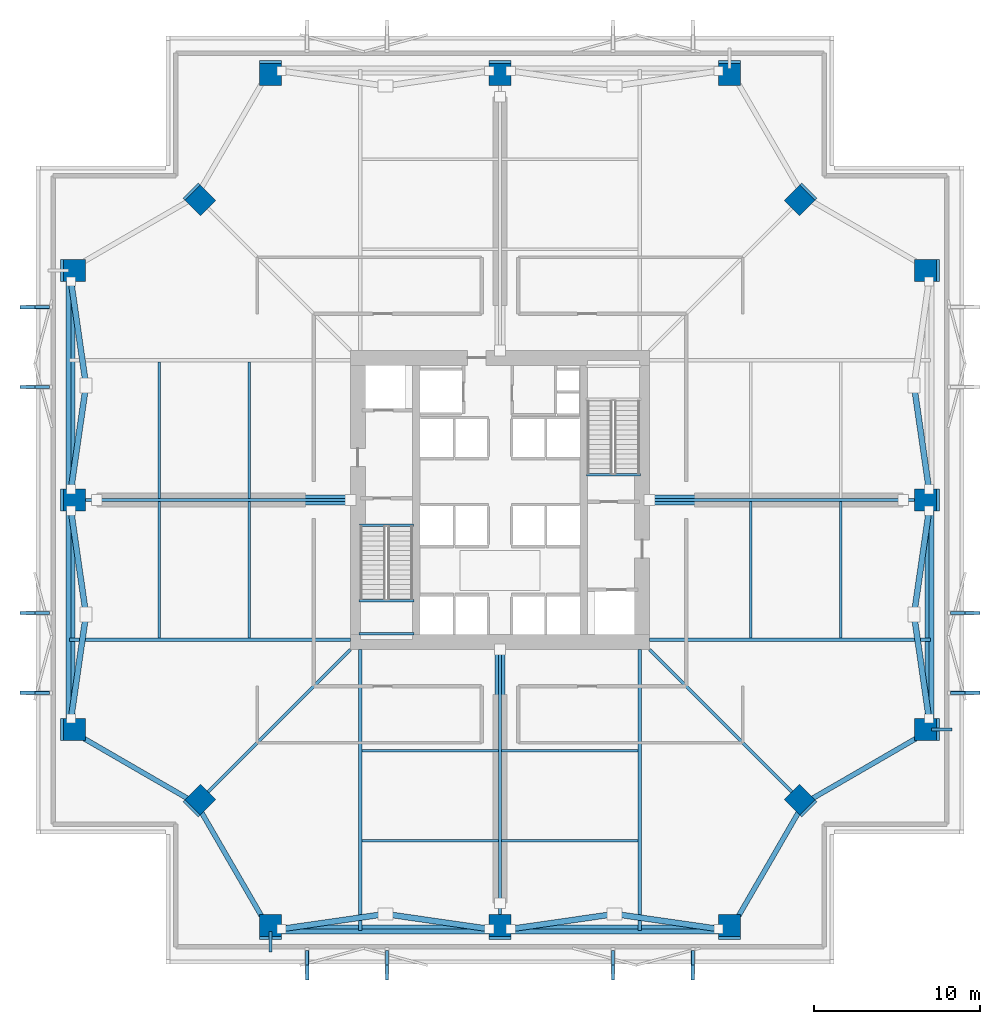
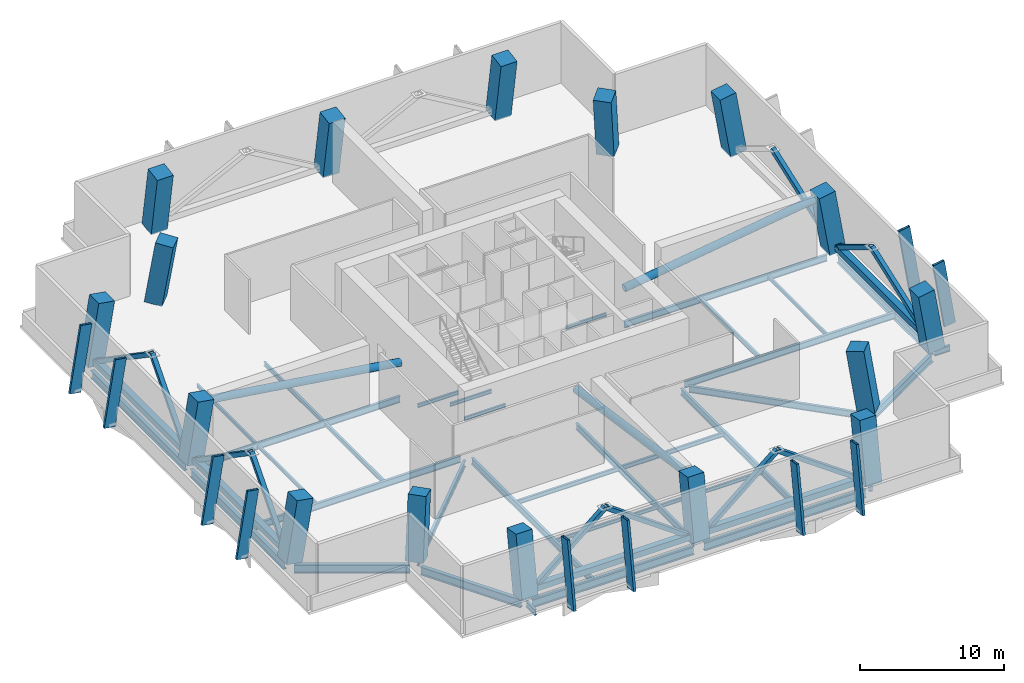
# One storey, part 1 of 6: 39 beams, 24 members, 16 columns.
"""IFC4 building model written with IfcOpenShell, lengths in metres."""

import ifcopenshell
import ifcopenshell.guid

model = None  # the IFC model being written
_history = None  # IfcOwnerHistory: only IFC2X3 demands one
_inside = {}  # id of a spatial element -> (the spatial element, [elements in it])
_under = {}  # id of a project, library or spatial element -> (it, [spatial elements below it])
_declared = {}  # id of a project -> (the project, [libraries it declares])
_typed = {}  # id of a type object -> (the type object, [elements of that type])
_made_of = {}  # id of a material, layer set ... -> (it, [elements and type objects made of it])


def new_model(schema):
    """Start an empty IFC model of exactly this schema.

    Asked for "IFC4X3", IfcOpenShell would pick the latest addendum, in which some entities
    have other attributes; the version numbers below select the first issue.
    IFC2X3 requires an IfcOwnerHistory on every rooted entity: one is made here for all.
    """
    global model, _history
    if schema == "IFC4X3":
        model = ifcopenshell.file(schema_version=(4, 3, 0, 0))
    else:
        model = ifcopenshell.file(schema=schema)
    _inside.clear()
    _under.clear()
    _declared.clear()
    _typed.clear()
    _made_of.clear()
    _history = None
    if model.schema == "IFC2X3":
        org = make("IfcOrganization", Name="unknown")
        user = make(
            "IfcPersonAndOrganization",
            ThePerson=make("IfcPerson", FamilyName="unknown"),
            TheOrganization=org,
        )
        app = make(
            "IfcApplication",
            ApplicationDeveloper=org,
            Version="unknown",
            ApplicationFullName="unknown",
            ApplicationIdentifier="unknown",
        )
        _history = make(
            "IfcOwnerHistory",
            OwningUser=user,
            OwningApplication=app,
            ChangeAction="ADDED",
            CreationDate=0,
        )
    return model


def make(cls, **values):
    """One entity of the class cls with the attributes given. An attribute that is None is left unset."""
    return model.create_entity(
        cls, **{name: value for name, value in values.items() if value is not None}
    )


def rooted(cls, **values):
    """An entity with a GlobalId (a new one), such as an element, a storey or a relation."""
    return make(cls, GlobalId=ifcopenshell.guid.new(), OwnerHistory=_history, **values)


def si_unit(unit_type, name, prefix=None):
    """IfcSIUnit, for example si_unit("LENGTHUNIT", "METRE", prefix="MILLI")."""
    return make("IfcSIUnit", UnitType=unit_type, Prefix=prefix, Name=name)


def assignment(units):
    """IfcUnitAssignment: the units of a project."""
    return None if units is None else make("IfcUnitAssignment", Units=units)


def point(xyz):
    """IfcCartesianPoint."""
    return None if xyz is None else make("IfcCartesianPoint", Coordinates=xyz)


def direction(xyz):
    """IfcDirection."""
    return None if xyz is None else make("IfcDirection", DirectionRatios=xyz)


def frame(location, z_axis=None, x_axis=None):
    """IfcAxis2Placement3D, a coordinate frame: its origin and axes. An axis left out is left unset."""
    return make(
        "IfcAxis2Placement3D",
        Location=point(location),
        Axis=direction(z_axis),
        RefDirection=direction(x_axis),
    )


def frame_2d(location, x_axis=None):
    """IfcAxis2Placement2D, a coordinate frame in the plane: its origin and x axis."""
    return make(
        "IfcAxis2Placement2D", Location=point(location), RefDirection=direction(x_axis)
    )


def origin():
    """The frame at (0, 0, 0) with its axes left unset."""
    return frame((0.0, 0.0, 0.0))


def origin_2d():
    """The frame at (0, 0) in the plane with its x axis left unset."""
    return frame_2d((0.0, 0.0))


def place(relative_to, where):
    """IfcLocalPlacement: puts the frame where relative to a parent placement (None: the world)."""
    return make(
        "IfcLocalPlacement", PlacementRelTo=relative_to, RelativePlacement=where
    )


def context(
    kind, dimensions, precision=None, world=None, true_north=None, identifier=None
):
    """IfcGeometricRepresentationContext, for example the 3D "Model" context."""
    return make(
        "IfcGeometricRepresentationContext",
        ContextIdentifier=identifier,
        ContextType=kind,
        CoordinateSpaceDimension=dimensions,
        Precision=precision,
        WorldCoordinateSystem=world,
        TrueNorth=true_north,
    )


def subcontext(parent, identifier, kind, view, scale=None):
    """IfcGeometricRepresentationSubContext, for example "Body" below "Model"."""
    return make(
        "IfcGeometricRepresentationSubContext",
        ContextIdentifier=identifier,
        ContextType=kind,
        ParentContext=parent,
        TargetScale=scale,
        TargetView=view,
    )


def project(units=None, contexts=None):
    """IfcProject with its units and contexts."""
    return rooted(
        "IfcProject",
        Name="project",
        RepresentationContexts=contexts,
        UnitsInContext=assignment(units),
    )


def spatial(cls, under=None, at=None, **own):
    """A site, building, storey or space (cls), placed at a placement, below another one or the project."""
    s = rooted(cls, ObjectPlacement=at, **own)
    if under is not None:
        _under.setdefault(under.id(), (under, []))[1].append(s)
    return s


def profile(cls, at=None, kind="AREA", **sizes):
    """A parametric profile (cls). Its sizes go by their IFC names, for example OverallWidth=200.0."""
    return make(cls, ProfileType=kind, Position=at, **sizes)


def rectangle(**sizes):
    """IfcRectangleProfileDef."""
    return profile("IfcRectangleProfileDef", **sizes)


def hollow_rectangle(**sizes):
    """IfcRectangleHollowProfileDef."""
    return profile("IfcRectangleHollowProfileDef", **sizes)


def hollow_circle(**sizes):
    """IfcCircleHollowProfileDef."""
    return profile("IfcCircleHollowProfileDef", **sizes)


def i_section(**sizes):
    """IfcIShapeProfileDef."""
    return profile("IfcIShapeProfileDef", **sizes)


def extrude(swept, where, along, depth):
    """IfcExtrudedAreaSolid: the profile swept, set in the frame where, extruded along a direction by depth."""
    return make(
        "IfcExtrudedAreaSolid",
        SweptArea=swept,
        Position=where,
        ExtrudedDirection=direction(along),
        Depth=depth,
    )


def shape(context_of_items, identifier, shape_type, items):
    """IfcShapeRepresentation: the items that make up one representation, for example the "Body"."""
    return make(
        "IfcShapeRepresentation",
        ContextOfItems=context_of_items,
        RepresentationIdentifier=identifier,
        RepresentationType=shape_type,
        Items=items,
    )


def material(Name=None, Category=None):
    """IfcMaterial."""
    return make("IfcMaterial", Name=Name, Category=Category)


def material_profile(
    of_material, cross_section, Name=None, Category=None, Priority=None
):
    """IfcMaterialProfile: a cross section and its material."""
    return make(
        "IfcMaterialProfile",
        Name=Name,
        Material=of_material,
        Profile=cross_section,
        Priority=Priority,
        Category=Category,
    )


def profile_set(profiles, Name=None, composite=None):
    """IfcMaterialProfileSet."""
    return make(
        "IfcMaterialProfileSet",
        Name=Name,
        MaterialProfiles=profiles,
        CompositeProfile=composite,
    )


def made_of(thing, what):
    """Note that an element or type object is made of a material, layer set ...; save() writes the relation."""
    if what is not None:
        _made_of.setdefault(what.id(), (what, []))[1].append(thing)
    return thing


def type_object(cls, material=None, **own):
    """A type object (cls), such as IfcWallType, which elements share."""
    return made_of(rooted(cls, **own), material)


def element(
    cls,
    number,
    at=None,
    inside=None,
    cuts=None,
    type_object=None,
    material=None,
    context=None,
    identifier="Body",
    shape_type=None,
    held_by="IfcProductDefinitionShape",
    body=None,
    shapes=None,
    **own,
):
    """One element of the class cls, such as IfcWall. Its Tag is "e" and its number.

    at: its placement. inside: the storey or other place that contains it. cuts: it is an
    opening in that element (IfcRelVoidsElement). A single representation is given by context,
    identifier, shape_type and body (its items); several are given by shapes. held_by: the class
    of the entity that holds the representations. save() writes the other relations.
    """
    e = rooted(cls, Tag="e%d" % number, ObjectPlacement=at, **own)
    if body is not None:
        shapes = [shape(context, identifier, shape_type, body)]
    if shapes is not None:
        e.Representation = make(held_by, Representations=shapes)
    if inside is not None:
        _inside.setdefault(inside.id(), (inside, []))[1].append(e)
    if cuts is not None:
        rooted(
            "IfcRelVoidsElement", RelatingBuildingElement=cuts, RelatedOpeningElement=e
        )
    if type_object is not None:
        _typed.setdefault(type_object.id(), (type_object, []))[1].append(e)
    return made_of(e, material)


def aggregate(whole, parts):
    """IfcRelAggregates: a whole, such as a stair, and the parts it consists of."""
    return rooted("IfcRelAggregates", RelatingObject=whole, RelatedObjects=parts)


def save(model, path):
    """Write the relations noted so far, then the file.

    IfcRelAggregates (storeys below a building ...), IfcRelContainedInSpatialStructure (elements
    in a storey), IfcRelDefinesByType, IfcRelAssociatesMaterial and IfcRelDeclares: one each for
    every whole, place, type object, material and project.
    """
    for whole, parts in _under.values():
        aggregate(whole, parts)
    for where, things in _inside.values():
        rooted(
            "IfcRelContainedInSpatialStructure",
            RelatedElements=things,
            RelatingStructure=where,
        )
    for kind, things in _typed.values():
        rooted("IfcRelDefinesByType", RelatedObjects=things, RelatingType=kind)
    for what, things in _made_of.values():
        rooted("IfcRelAssociatesMaterial", RelatedObjects=things, RelatingMaterial=what)
    for by, libraries in _declared.values():
        rooted("IfcRelDeclares", RelatingContext=by, RelatedDefinitions=libraries)
    model.write(path)


model = new_model("IFC4")

# Units and contexts
model_context = context("Model", 3, precision=1e-05, world=origin(), true_north=direction((0.0, 1.0)))
body_context = subcontext(model_context, "Body", "Model", "MODEL_VIEW")
ifc_project = project(units=[si_unit("LENGTHUNIT", "METRE"), si_unit("AREAUNIT", "SQUARE_METRE"), si_unit("VOLUMEUNIT", "CUBIC_METRE"), si_unit("PLANEANGLEUNIT", "RADIAN"), si_unit("MASSUNIT", "GRAM", prefix="KILO")], contexts=[model_context])

# Site, building, storey
site_placement = place(None, origin())
site = spatial("IfcSite", under=ifc_project, at=site_placement, CompositionType="ELEMENT")
building_placement = place(site_placement, origin())
building = spatial("IfcBuilding", under=site, at=building_placement, Name="Belovzor Exchange Tower", CompositionType="ELEMENT")
storey_placement = place(building_placement, frame((0.0, 0.0, 108.0)))
storey = spatial("IfcBuildingStorey", under=building, at=storey_placement, Name="L26", CompositionType="ELEMENT", Elevation=108.0)

# Columns
ifc_material_1 = material(Name="Concrete C60/75", Category="concrete")
ifc_material_profile_1 = material_profile(ifc_material_1, rectangle(XDim=1.300048828125, YDim=1.300048828125, at=origin_2d()))
ifc_profile_set_1 = profile_set([ifc_material_profile_1], Name="Concrete C60/75")
column_type = type_object("IfcColumnType", Name="Reinforced Concrete Tower Column 1300x1300", PredefinedType="COLUMN", material=ifc_profile_set_1)
for number, where, z_axis, x_axis, name in (
    (1, (15.0, 3.0009765625, 0.0029296875), (0.0, 0.164323069484, 0.9864065738), (-1.0, 0.0, 0.0), "COL-T130 Reinforced Concrete Tower Column 1300x1300"),
    (2, (28.800048828125, 3.0009765625, 0.0029296875), (0.0, 0.164323069484, 0.9864065738), (-1.0, 0.0, 0.0), "COL-T130 Reinforced Concrete Tower Column 1300x1300"),
    (3, (42.60009765625, 3.0009765625, 0.0029296875), (0.0, 0.164323069484, 0.9864065738), (-1.0, 0.0, 0.0), "COL-T130 Reinforced Concrete Tower Column 1300x1300"),
):
    element("IfcColumn", number, at=place(storey_placement, frame(where, z_axis=z_axis, x_axis=x_axis)), inside=storey, type_object=column_type, Name=name, PredefinedType="COLUMN", context=body_context, shape_type="SweptSolid", body=[
        extrude(rectangle(XDim=1.300048828125, YDim=1.300048828125, at=origin_2d()), origin(), (0.0, 0.0, 1.0), 5.21484375),
    ])
for number, where, z_axis, x_axis, name in (
    (4, (54.59912109375, 15.0, 0.0029296875), (-0.164368620527, 0.0, 0.986398984481), (0.0, -1.0, 0.0), "COL-T130 Reinforced Concrete Tower Column 1300x1300"),
    (5, (54.59912109375, 28.800048828125, 0.0029296875), (-0.164368620527, 0.0, 0.986398984481), (0.0, -1.0, 0.0), "COL-T130 Reinforced Concrete Tower Column 1300x1300"),
    (6, (54.59912109375, 42.60009765625, 0.0029296875), (-0.164368620527, 0.0, 0.986398984481), (0.0, -1.0, 0.0), "COL-T130 Reinforced Concrete Tower Column 1300x1300"),
    (7, (42.60009765625, 54.59912109375, 0.0029296875), (0.0, -0.164368620527, 0.986398984481), (1.0, 0.0, 0.0), "COL-T130 Reinforced Concrete Tower Column 1300x1300"),
    (8, (28.800048828125, 54.59912109375, 0.0029296875), (0.0, -0.164368620527, 0.986398984481), (1.0, 0.0, 0.0), "COL-T130 Reinforced Concrete Tower Column 1300x1300"),
    (9, (15.0, 54.59912109375, 0.0029296875), (0.0, -0.164368620527, 0.986398984481), (1.0, 0.0, 0.0), "COL-T130 Reinforced Concrete Tower Column 1300x1300"),
):
    element("IfcColumn", number, at=place(storey_placement, frame(where, z_axis=z_axis, x_axis=x_axis)), inside=storey, type_object=column_type, Name=name, PredefinedType="COLUMN", context=body_context, shape_type="SweptSolid", body=[
        extrude(rectangle(XDim=1.300048828125, YDim=1.300048828125, at=origin_2d()), origin(), (0.0, 0.0, 1.0), 5.215087890625),
    ])
for number, where, z_axis, x_axis, name in (
    (10, (3.0009765625, 42.60009765625, 0.0029296875), (0.164323069484, 0.0, 0.9864065738), (0.0, 1.0, 0.0), "COL-T130 Reinforced Concrete Tower Column 1300x1300"),
    (11, (3.0009765625, 28.800048828125, 0.0029296875), (0.164323069484, 0.0, 0.9864065738), (0.0, 1.0, 0.0), "COL-T130 Reinforced Concrete Tower Column 1300x1300"),
    (12, (3.0009765625, 15.0, 0.0029296875), (0.164323069484, 0.0, 0.9864065738), (0.0, 1.0, 0.0), "COL-T130 Reinforced Concrete Tower Column 1300x1300"),
):
    element("IfcColumn", number, at=place(storey_placement, frame(where, z_axis=z_axis, x_axis=x_axis)), inside=storey, type_object=column_type, Name=name, PredefinedType="COLUMN", context=body_context, shape_type="SweptSolid", body=[
        extrude(rectangle(XDim=1.300048828125, YDim=1.300048828125, at=origin_2d()), origin(), (0.0, 0.0, 1.0), 5.21484375),
    ])
for number, where, z_axis, x_axis, name in (
    (13, (10.64990234375, 10.64990234375, 0.0029296875), (0.109850685031, 0.109850685031, 0.987859126595), (-0.707106781187, 0.707106781187, 0.0), "COL-T130 Reinforced Concrete Tower Column 1300x1300"),
    (14, (46.949951171875, 10.64990234375, 0.0029296875), (-0.109850685031, 0.109850685031, 0.987859126595), (-0.707106781187, -0.707106781187, 0.0), "COL-T130 Reinforced Concrete Tower Column 1300x1300"),
    (15, (46.949951171875, 46.949951171875, 0.0029296875), (-0.109850685031, -0.109850685031, 0.987859126595), (0.707106781187, -0.707106781187, 0.0), "COL-T130 Reinforced Concrete Tower Column 1300x1300"),
    (16, (10.64990234375, 46.949951171875, 0.0029296875), (0.109850685031, -0.109850685031, 0.987859126595), (0.707106781187, 0.707106781187, 0.0), "COL-T130 Reinforced Concrete Tower Column 1300x1300"),
):
    element("IfcColumn", number, at=place(storey_placement, frame(where, z_axis=z_axis, x_axis=x_axis)), inside=storey, type_object=column_type, Name=name, PredefinedType="COLUMN", context=body_context, shape_type="SweptSolid", body=[
        extrude(rectangle(XDim=1.300048828125, YDim=1.300048828125, at=origin_2d()), origin(), (0.0, 0.0, 1.0), 5.207275390625),
    ])

# Members
ifc_material_2 = material(Name="Steel S460", Category="steel")
ifc_material_profile_2 = material_profile(ifc_material_2, hollow_rectangle(XDim=0.35009765625, YDim=0.35009765625, WallThickness=0.01611328125, at=origin_2d()))
ifc_profile_set_2 = profile_set([ifc_material_profile_2], Name="Steel S460")
member_type_1 = type_object("IfcMemberType", Name="Belt Truss Web Diagonal SHS 350x350x16", PredefinedType="BRACE", material=ifc_profile_set_2)
for number, where, z_axis, x_axis, name in (
    (17, (15.64990234375, 3.0, 0.449951171875), (0.830143409892, 0.119527680034, 0.54458704788), (-0.142514681584, 0.989792688159, 0.0), "BD-350 Belt Truss Web Diagonal SHS 350x350x16"),
    (18, (21.89990234375, 3.89990234375, 4.550048828125), (0.830143409892, -0.119527680034, -0.54458704788), (0.142514681584, 0.989792688159, 0.0), "BD-350 Belt Truss Web Diagonal SHS 350x350x16"),
    (19, (29.449951171875, 3.0, 0.449951171875), (0.830143409892, 0.119527680034, 0.54458704788), (-0.142514681584, 0.989792688159, 0.0), "BD-350 Belt Truss Web Diagonal SHS 350x350x16"),
    (20, (35.699951171875, 3.89990234375, 4.550048828125), (0.830143409892, -0.119527680034, -0.54458704788), (0.142514681584, 0.989792688159, 0.0), "BD-350 Belt Truss Web Diagonal SHS 350x350x16"),
    (21, (54.60009765625, 15.64990234375, 0.449951171875), (-0.119559644038, 0.830140191854, 0.544584936797), (-0.989787233552, -0.14255255977, 0.0), "BD-350 Belt Truss Web Diagonal SHS 350x350x16"),
    (22, (53.699951171875, 21.89990234375, 4.550048828125), (0.119559644038, 0.830140191854, -0.544584936797), (-0.989787233552, 0.14255255977, 0.0), "BD-350 Belt Truss Web Diagonal SHS 350x350x16"),
    (23, (54.60009765625, 29.449951171875, 0.449951171875), (-0.119559644038, 0.830140191854, 0.544584936797), (-0.989787233552, -0.14255255977, 0.0), "BD-350 Belt Truss Web Diagonal SHS 350x350x16"),
    (24, (3.0, 41.949951171875, 0.449951171875), (0.119527680034, -0.830143409892, 0.54458704788), (0.989792688159, 0.142514681584, 0.0), "BD-350 Belt Truss Web Diagonal SHS 350x350x16"),
    (25, (3.89990234375, 35.699951171875, 4.550048828125), (-0.119527680034, -0.830143409892, -0.54458704788), (0.989792688159, -0.142514681584, 0.0), "BD-350 Belt Truss Web Diagonal SHS 350x350x16"),
    (26, (3.0, 28.14990234375, 0.449951171875), (0.119527680034, -0.830143409892, 0.54458704788), (0.989792688159, 0.142514681584, 0.0), "BD-350 Belt Truss Web Diagonal SHS 350x350x16"),
    (27, (3.89990234375, 21.89990234375, 4.550048828125), (-0.119527680034, -0.830143409892, -0.54458704788), (0.989792688159, -0.142514681584, 0.0), "BD-350 Belt Truss Web Diagonal SHS 350x350x16"),
):
    element("IfcMember", number, at=place(storey_placement, frame(where, z_axis=z_axis, x_axis=x_axis)), inside=storey, type_object=member_type_1, Name=name, PredefinedType="BRACE", context=body_context, shape_type="SweptSolid", body=[
        extrude(hollow_rectangle(XDim=0.35009765625, YDim=0.35009765625, WallThickness=0.01611328125, at=origin_2d()), origin(), (0.0, 0.0, 1.0), 7.52880859375),
    ])
ifc_material_3 = material(Name="Steel S460", Category="steel")
ifc_material_profile_3 = material_profile(ifc_material_3, hollow_circle(Radius=0.304931640625, WallThickness=0.030029296875, at=origin_2d()))
ifc_profile_set_3 = profile_set([ifc_material_profile_3], Name="Steel S460")
member_type_2 = type_object("IfcMemberType", Name="Lower Outrigger Tubular Strut CHS 610x30", PredefinedType="STRUT", material=ifc_profile_set_3)
for number, where, z_axis, x_axis, name in (
    (28, (28.800048828125, 19.800048828125, 2.449951171875), (0.0, -0.989754297601, 0.1427810575), (1.0, 0.0, 0.0), "OS-610 Lower Outrigger Tubular Strut CHS 610x30"),
    (29, (19.800048828125, 28.800048828125, 2.449951171875), (-0.989754297601, 0.0, 0.1427810575), (0.0, -1.0, 0.0), "OS-610 Lower Outrigger Tubular Strut CHS 610x30"),
    (30, (37.800048828125, 28.800048828125, 2.449951171875), (0.989754297601, 0.0, 0.1427810575), (0.0, 1.0, 0.0), "OS-610 Lower Outrigger Tubular Strut CHS 610x30"),
):
    element("IfcMember", number, at=place(storey_placement, frame(where, z_axis=z_axis, x_axis=x_axis)), inside=storey, type_object=member_type_2, Name=name, PredefinedType="STRUT", context=body_context, shape_type="SweptSolid", body=[
        extrude(hollow_circle(Radius=0.304931640625, WallThickness=0.030029296875, at=origin_2d()), origin(), (0.0, 0.0, 1.0), 15.407958984375),
    ])

# Beams
ifc_material_4 = material(Name="Steel S460", Category="steel")
ifc_material_profile_4 = material_profile(ifc_material_4, hollow_rectangle(XDim=0.5, YDim=0.5, WallThickness=0.02490234375, at=origin_2d()))
ifc_profile_set_4 = profile_set([ifc_material_profile_4], Name="Steel S460")
beam_type_1 = type_object("IfcBeamType", Name="Perimeter Belt Truss Chord SHS 500x500x25", PredefinedType="BEAM", material=ifc_profile_set_4)
for number, where, z_axis, x_axis, name in (
    (31, (15.64990234375, 3.0, 0.449951171875), (1.0, 0.0, 0.0), (0.0, 1.0, 0.0), "BT-500 Perimeter Belt Truss Chord SHS 500x500x25"),
    (32, (29.449951171875, 3.0, 0.449951171875), (1.0, 0.0, 0.0), (0.0, 1.0, 0.0), "BT-500 Perimeter Belt Truss Chord SHS 500x500x25"),
    (33, (54.60009765625, 15.64990234375, 0.449951171875), (0.0, 1.0, 0.0), (-1.0, 0.0, 0.0), "BT-500 Perimeter Belt Truss Chord SHS 500x500x25"),
    (34, (3.0, 41.949951171875, 0.449951171875), (0.0, -1.0, 0.0), (1.0, 0.0, 0.0), "BT-500 Perimeter Belt Truss Chord SHS 500x500x25"),
    (35, (3.0, 28.14990234375, 0.449951171875), (0.0, -1.0, 0.0), (1.0, 0.0, 0.0), "BT-500 Perimeter Belt Truss Chord SHS 500x500x25"),
):
    element("IfcBeam", number, at=place(storey_placement, frame(where, z_axis=z_axis, x_axis=x_axis)), inside=storey, type_object=beam_type_1, Name=name, PredefinedType="BEAM", context=body_context, shape_type="SweptSolid", body=[
        extrude(hollow_rectangle(XDim=0.5, YDim=0.5, WallThickness=0.02490234375, at=origin_2d()), origin(), (0.0, 0.0, 1.0), 12.5),
    ])
ifc_material_5 = material(Name="Steel S355", Category="steel")
ifc_material_profile_5 = material_profile(ifc_material_5, i_section(OverallWidth=0.199951171875, OverallDepth=0.5, WebThickness=0.01025390625, FlangeThickness=0.01611328125, at=origin_2d()))
ifc_profile_set_5 = profile_set([ifc_material_profile_5], Name="Steel S355")
beam_type_2 = type_object("IfcBeamType", Name="Planted Balcony Cantilever Beam IPE 500", PredefinedType="BEAM", material=ifc_profile_set_5)
beam_1_placement = place(storey_placement, frame((15.0, 2.85888671875, -0.610107421875), z_axis=(0.0, -1.0, 0.0), x_axis=(1.0, 0.0, 0.0)))
element("IfcBeam", 36, at=beam_1_placement, inside=storey, type_object=beam_type_2, Name="BC-500 Planted Balcony Cantilever Beam IPE 500", PredefinedType="BEAM", context=body_context, shape_type="SweptSolid", body=[
    extrude(i_section(OverallWidth=0.199951171875, OverallDepth=0.5, WebThickness=0.01025390625, FlangeThickness=0.01611328125, at=origin_2d()), origin(), (0.0, 0.0, 1.0), 1.2587890625),
])
beam_2_placement = place(storey_placement, frame((54.740966796875, 15.0, -0.610107421875), z_axis=(1.0, 0.0, 0.0), x_axis=(0.0, 1.0, 0.0)))
element("IfcBeam", 37, at=beam_2_placement, inside=storey, type_object=beam_type_2, Name="BC-500 Planted Balcony Cantilever Beam IPE 500", PredefinedType="BEAM", context=body_context, shape_type="SweptSolid", body=[
    extrude(i_section(OverallWidth=0.199951171875, OverallDepth=0.5, WebThickness=0.01025390625, FlangeThickness=0.01611328125, at=origin_2d()), origin(), (0.0, 0.0, 1.0), 1.259033203125),
])
ifc_material_6 = material(Name="Steel S355", Category="steel")
ifc_material_profile_6 = material_profile(ifc_material_6, i_section(OverallWidth=0.169921875, OverallDepth=0.360107421875, WebThickness=0.008056640625, FlangeThickness=0.0126953125, at=origin_2d()))
ifc_profile_set_6 = profile_set([ifc_material_profile_6], Name="Steel S355")
beam_type_3 = type_object("IfcBeamType", Name="Secondary Infill Floor Joist IPE 360", PredefinedType="BEAM", material=ifc_profile_set_6)
beam_3_placement = place(storey_placement, frame((20.5048828125, 13.719970703125, -0.5400390625), z_axis=(1.0, 0.0, 0.0), x_axis=(0.0, 1.0, 0.0)))
element("IfcBeam", 38, at=beam_3_placement, inside=storey, type_object=beam_type_3, Name="FJ-360 Secondary Infill Floor Joist IPE 360", PredefinedType="BEAM", context=body_context, shape_type="SweptSolid", body=[
    extrude(i_section(OverallWidth=0.169921875, OverallDepth=0.360107421875, WebThickness=0.008056640625, FlangeThickness=0.0126953125, at=origin_2d()), origin(), (0.0, 0.0, 1.0), 8.190185546875),
])
beam_4_placement = place(storey_placement, frame((28.905029296875, 13.719970703125, -0.5400390625), z_axis=(1.0, 0.0, 0.0), x_axis=(0.0, 1.0, 0.0)))
element("IfcBeam", 39, at=beam_4_placement, inside=storey, type_object=beam_type_3, Name="FJ-360 Secondary Infill Floor Joist IPE 360", PredefinedType="BEAM", context=body_context, shape_type="SweptSolid", body=[
    extrude(i_section(OverallWidth=0.169921875, OverallDepth=0.360107421875, WebThickness=0.008056640625, FlangeThickness=0.0126953125, at=origin_2d()), origin(), (0.0, 0.0, 1.0), 8.18994140625),
])
beam_5_placement = place(storey_placement, frame((13.719970703125, 20.5048828125, -0.5400390625), z_axis=(0.0, 1.0, 0.0), x_axis=(-1.0, 0.0, 0.0)))
element("IfcBeam", 40, at=beam_5_placement, inside=storey, type_object=beam_type_3, Name="FJ-360 Secondary Infill Floor Joist IPE 360", PredefinedType="BEAM", context=body_context, shape_type="SweptSolid", body=[
    extrude(i_section(OverallWidth=0.169921875, OverallDepth=0.360107421875, WebThickness=0.008056640625, FlangeThickness=0.0126953125, at=origin_2d()), origin(), (0.0, 0.0, 1.0), 8.190185546875),
])
beam_6_placement = place(storey_placement, frame((13.719970703125, 28.905029296875, -0.5400390625), z_axis=(0.0, 1.0, 0.0), x_axis=(-1.0, 0.0, 0.0)))
element("IfcBeam", 41, at=beam_6_placement, inside=storey, type_object=beam_type_3, Name="FJ-360 Secondary Infill Floor Joist IPE 360", PredefinedType="BEAM", context=body_context, shape_type="SweptSolid", body=[
    extrude(i_section(OverallWidth=0.169921875, OverallDepth=0.360107421875, WebThickness=0.008056640625, FlangeThickness=0.0126953125, at=origin_2d()), origin(), (0.0, 0.0, 1.0), 8.18994140625),
])
beam_7_placement = place(storey_placement, frame((43.8798828125, 20.5048828125, -0.5400390625), z_axis=(0.0, 1.0, 0.0), x_axis=(-1.0, 0.0, 0.0)))
element("IfcBeam", 42, at=beam_7_placement, inside=storey, type_object=beam_type_3, Name="FJ-360 Secondary Infill Floor Joist IPE 360", PredefinedType="BEAM", context=body_context, shape_type="SweptSolid", body=[
    extrude(i_section(OverallWidth=0.169921875, OverallDepth=0.360107421875, WebThickness=0.008056640625, FlangeThickness=0.0126953125, at=origin_2d()), origin(), (0.0, 0.0, 1.0), 8.190185546875),
])
ifc_material_7 = material(Name="Steel S355", Category="steel")
ifc_material_profile_7 = material_profile(ifc_material_7, i_section(OverallWidth=0.14990234375, OverallDepth=0.300048828125, WebThickness=0.007080078125, FlangeThickness=0.0107421875, at=origin_2d()))
ifc_profile_set_7 = profile_set([ifc_material_profile_7], Name="Steel S355")
beam_type_4 = type_object("IfcBeamType", Name="Secondary Trim Floor Joist IPE 300", PredefinedType="BEAM", material=ifc_profile_set_7)
for number, where, z_axis, x_axis, name in (
    (43, (20.320068359375, 22.72998046875, 2.35009765625), (1.0, 0.0, 0.0), (0.0, 1.0, 0.0), "FJ-300 Secondary Trim Floor Joist IPE 300"),
    (44, (20.320068359375, 20.75, 2.35009765625), (1.0, 0.0, 0.0), (0.0, 1.0, 0.0), "FJ-300 Secondary Trim Floor Joist IPE 300"),
):
    element("IfcBeam", number, at=place(storey_placement, frame(where, z_axis=z_axis, x_axis=x_axis)), inside=storey, type_object=beam_type_4, Name=name, PredefinedType="BEAM", context=body_context, shape_type="SweptSolid", body=[
        extrude(i_section(OverallWidth=0.14990234375, OverallDepth=0.300048828125, WebThickness=0.007080078125, FlangeThickness=0.0107421875, at=origin_2d()), origin(), (0.0, 0.0, 1.0), 3.309814453125),
    ])
for number, where, z_axis, x_axis, name in (
    (45, (20.340087890625, 27.280029296875, -0.510009765625), (1.0, 0.0, 0.0), (0.0, 1.0, 0.0), "FJ-300 Secondary Trim Floor Joist IPE 300"),
    (46, (37.260009765625, 30.320068359375, -0.510009765625), (-1.0, 0.0, 0.0), (0.0, -1.0, 0.0), "FJ-300 Secondary Trim Floor Joist IPE 300"),
):
    element("IfcBeam", number, at=place(storey_placement, frame(where, z_axis=z_axis, x_axis=x_axis)), inside=storey, type_object=beam_type_4, Name=name, PredefinedType="BEAM", context=body_context, shape_type="SweptSolid", body=[
        extrude(i_section(OverallWidth=0.14990234375, OverallDepth=0.300048828125, WebThickness=0.007080078125, FlangeThickness=0.0107421875, at=origin_2d()), origin(), (0.0, 0.0, 1.0), 3.27001953125),
    ])
beam_8_placement = place(storey_placement, frame((20.5048828125, 8.31494140625, -0.510009765625), z_axis=(1.0, 0.0, 0.0), x_axis=(0.0, 1.0, 0.0)))
element("IfcBeam", 47, at=beam_8_placement, inside=storey, type_object=beam_type_4, Name="FJ-300 Secondary Trim Floor Joist IPE 300", PredefinedType="BEAM", context=body_context, shape_type="SweptSolid", body=[
    extrude(i_section(OverallWidth=0.14990234375, OverallDepth=0.300048828125, WebThickness=0.007080078125, FlangeThickness=0.0107421875, at=origin_2d()), origin(), (0.0, 0.0, 1.0), 8.190185546875),
])
beam_9_placement = place(storey_placement, frame((28.905029296875, 8.31494140625, -0.510009765625), z_axis=(1.0, 0.0, 0.0), x_axis=(0.0, 1.0, 0.0)))
element("IfcBeam", 48, at=beam_9_placement, inside=storey, type_object=beam_type_4, Name="FJ-300 Secondary Trim Floor Joist IPE 300", PredefinedType="BEAM", context=body_context, shape_type="SweptSolid", body=[
    extrude(i_section(OverallWidth=0.14990234375, OverallDepth=0.300048828125, WebThickness=0.007080078125, FlangeThickness=0.0107421875, at=origin_2d()), origin(), (0.0, 0.0, 1.0), 8.18994140625),
])
beam_10_placement = place(storey_placement, frame((8.31494140625, 20.5048828125, -0.510009765625), z_axis=(0.0, 1.0, 0.0), x_axis=(-1.0, 0.0, 0.0)))
element("IfcBeam", 49, at=beam_10_placement, inside=storey, type_object=beam_type_4, Name="FJ-300 Secondary Trim Floor Joist IPE 300", PredefinedType="BEAM", context=body_context, shape_type="SweptSolid", body=[
    extrude(i_section(OverallWidth=0.14990234375, OverallDepth=0.300048828125, WebThickness=0.007080078125, FlangeThickness=0.0107421875, at=origin_2d()), origin(), (0.0, 0.0, 1.0), 8.190185546875),
])
beam_11_placement = place(storey_placement, frame((8.31494140625, 28.905029296875, -0.510009765625), z_axis=(0.0, 1.0, 0.0), x_axis=(-1.0, 0.0, 0.0)))
element("IfcBeam", 50, at=beam_11_placement, inside=storey, type_object=beam_type_4, Name="FJ-300 Secondary Trim Floor Joist IPE 300", PredefinedType="BEAM", context=body_context, shape_type="SweptSolid", body=[
    extrude(i_section(OverallWidth=0.14990234375, OverallDepth=0.300048828125, WebThickness=0.007080078125, FlangeThickness=0.0107421875, at=origin_2d()), origin(), (0.0, 0.0, 1.0), 8.18994140625),
])
beam_12_placement = place(storey_placement, frame((49.284912109375, 20.5048828125, -0.510009765625), z_axis=(0.0, 1.0, 0.0), x_axis=(-1.0, 0.0, 0.0)))
element("IfcBeam", 51, at=beam_12_placement, inside=storey, type_object=beam_type_4, Name="FJ-300 Secondary Trim Floor Joist IPE 300", PredefinedType="BEAM", context=body_context, shape_type="SweptSolid", body=[
    extrude(i_section(OverallWidth=0.14990234375, OverallDepth=0.300048828125, WebThickness=0.007080078125, FlangeThickness=0.0107421875, at=origin_2d()), origin(), (0.0, 0.0, 1.0), 8.190185546875),
])

# Members
ifc_material_8 = material(Name="Extruded Architectural Terracotta on Steel S355 Carrier", Category="masonry")
ifc_material_profile_8 = material_profile(ifc_material_8, hollow_rectangle(XDim=0.199951171875, YDim=0.89990234375, WallThickness=0.011962890625, at=origin_2d()))
ifc_profile_set_8 = profile_set([ifc_material_profile_8], Name="Extruded Architectural Terracotta on Steel S355 Carrier")
member_type_3 = type_object("IfcMemberType", Name="Sweeping Terracotta Baguette Fin Assembly 1250", PredefinedType="USERDEFINED", material=ifc_profile_set_8)
for number, where, z_axis, x_axis, name in (
    (52, (17.199951171875, 0.375, -0.360107421875), (0.0, 0.161185792892, 0.986924080246), (-1.0, 0.0, 0.0), "FIN-TC125 Terracotta Facade Fin L26 S1"),
    (53, (0.375, 17.199951171875, -0.360107421875), (0.161185792892, 0.0, 0.986924080246), (0.0, 1.0, 0.0), "FIN-TC125 Terracotta Facade Fin L26 W1"),
    (54, (57.22509765625, 17.199951171875, -0.360107421875), (-0.16122838551, 0.0, 0.986917123018), (0.0, -1.0, 0.0), "FIN-TC125 Terracotta Facade Fin L26 E1"),
    (55, (22.0, 0.375, -0.360107421875), (0.0, 0.161185792892, 0.986924080246), (-1.0, 0.0, 0.0), "FIN-TC125 Terracotta Facade Fin L26 S2"),
    (56, (0.375, 22.0, -0.360107421875), (0.161185792892, 0.0, 0.986924080246), (0.0, 1.0, 0.0), "FIN-TC125 Terracotta Facade Fin L26 W2"),
    (57, (57.22509765625, 22.0, -0.360107421875), (-0.16122838551, 0.0, 0.986917123018), (0.0, -1.0, 0.0), "FIN-TC125 Terracotta Facade Fin L26 E2"),
    (58, (35.60009765625, 0.375, -0.360107421875), (0.0, 0.161185792892, 0.986924080246), (-1.0, 0.0, 0.0), "FIN-TC125 Terracotta Facade Fin L26 S3"),
    (59, (0.375, 35.60009765625, -0.360107421875), (0.161185792892, 0.0, 0.986924080246), (0.0, 1.0, 0.0), "FIN-TC125 Terracotta Facade Fin L26 W3"),
    (60, (40.39990234375, 0.375, -0.360107421875), (0.0, 0.161185792892, 0.986924080246), (-1.0, 0.0, 0.0), "FIN-TC125 Terracotta Facade Fin L26 S4"),
    (61, (0.375, 40.39990234375, -0.360107421875), (0.161185792892, 0.0, 0.986924080246), (0.0, 1.0, 0.0), "FIN-TC125 Terracotta Facade Fin L26 W4"),
):
    element("IfcMember", number, at=place(storey_placement, frame(where, z_axis=z_axis, x_axis=x_axis)), inside=storey, type_object=member_type_3, Name=name, ObjectType="FIN", PredefinedType="USERDEFINED", context=body_context, shape_type="SweptSolid", body=[
        extrude(hollow_rectangle(XDim=0.199951171875, YDim=0.89990234375, WallThickness=0.011962890625, at=origin_2d()), origin(), (0.0, 0.0, 1.0), 5.5830078125),
    ])

# Beams
ifc_material_9 = material(Name="Steel S355", Category="steel")
ifc_material_profile_9 = material_profile(ifc_material_9, i_section(OverallWidth=0.300048828125, OverallDepth=0.699951171875, WebThickness=0.01708984375, FlangeThickness=0.031982421875, at=origin_2d()))
ifc_profile_set_9 = profile_set([ifc_material_profile_9], Name="Steel S355")
beam_type_5 = type_object("IfcBeamType", Name="Zone 1 Primary Perimeter Girder HEB 700", PredefinedType="BEAM", material=ifc_profile_set_9)
beam_13_placement = place(storey_placement, frame((10.748046875, 10.18408203125, -0.7099609375), z_axis=(0.500806286891, -0.865559393115, 0.0), x_axis=(0.865559393115, 0.500806286891, 0.0)))
element("IfcBeam", 62, at=beam_13_placement, inside=storey, type_object=beam_type_5, Name="FG-Z1 Zone 1 Primary Perimeter Girder HEB 700", PredefinedType="BEAM", context=body_context, shape_type="SweptSolid", body=[
    extrude(i_section(OverallWidth=0.300048828125, OverallDepth=0.699951171875, WebThickness=0.01708984375, FlangeThickness=0.031982421875, at=origin_2d()), origin(), (0.0, 0.0, 1.0), 8.076904296875),
])
beam_14_placement = place(storey_placement, frame((15.412109375, 2.8359375, -0.7099609375), z_axis=(1.0, 0.0, 0.0), x_axis=(0.0, 1.0, 0.0)))
element("IfcBeam", 63, at=beam_14_placement, inside=storey, type_object=beam_type_5, Name="FG-Z1 Zone 1 Primary Perimeter Girder HEB 700", PredefinedType="BEAM", context=body_context, shape_type="SweptSolid", body=[
    extrude(i_section(OverallWidth=0.300048828125, OverallDepth=0.699951171875, WebThickness=0.01708984375, FlangeThickness=0.031982421875, at=origin_2d()), origin(), (0.0, 0.0, 1.0), 12.974853515625),
])
beam_15_placement = place(storey_placement, frame((29.212890625, 2.8359375, -0.7099609375), z_axis=(1.0, 0.0, 0.0), x_axis=(0.0, 1.0, 0.0)))
element("IfcBeam", 64, at=beam_15_placement, inside=storey, type_object=beam_type_5, Name="FG-Z1 Zone 1 Primary Perimeter Girder HEB 700", PredefinedType="BEAM", context=body_context, shape_type="SweptSolid", body=[
    extrude(i_section(OverallWidth=0.300048828125, OverallDepth=0.699951171875, WebThickness=0.01708984375, FlangeThickness=0.031982421875, at=origin_2d()), origin(), (0.0, 0.0, 1.0), 12.97509765625),
])
for number, where, z_axis, x_axis, name in (
    (65, (42.806884765625, 3.193115234375, -0.7099609375), (0.500828932478, 0.86554629015, 0.0), (-0.86554629015, 0.500828932478, 0.0), "FG-Z1 Zone 1 Primary Perimeter Girder HEB 700"),
    (66, (47.416015625, 10.748046875, -0.7099609375), (0.865559393115, 0.500806286891, 0.0), (-0.500806286891, 0.865559393115, 0.0), "FG-Z1 Zone 1 Primary Perimeter Girder HEB 700"),
):
    element("IfcBeam", number, at=place(storey_placement, frame(where, z_axis=z_axis, x_axis=x_axis)), inside=storey, type_object=beam_type_5, Name=name, PredefinedType="BEAM", context=body_context, shape_type="SweptSolid", body=[
        extrude(i_section(OverallWidth=0.300048828125, OverallDepth=0.699951171875, WebThickness=0.01708984375, FlangeThickness=0.031982421875, at=origin_2d()), origin(), (0.0, 0.0, 1.0), 8.076904296875),
    ])
beam_16_placement = place(storey_placement, frame((54.763916015625, 15.412109375, -0.7099609375), z_axis=(0.0, 1.0, 0.0), x_axis=(-1.0, 0.0, 0.0)))
element("IfcBeam", 67, at=beam_16_placement, inside=storey, type_object=beam_type_5, Name="FG-Z1 Zone 1 Primary Perimeter Girder HEB 700", PredefinedType="BEAM", context=body_context, shape_type="SweptSolid", body=[
    extrude(i_section(OverallWidth=0.300048828125, OverallDepth=0.699951171875, WebThickness=0.01708984375, FlangeThickness=0.031982421875, at=origin_2d()), origin(), (0.0, 0.0, 1.0), 12.974853515625),
])
beam_17_placement = place(storey_placement, frame((2.8359375, 42.18798828125, -0.7099609375), z_axis=(0.0, -1.0, 0.0), x_axis=(1.0, 0.0, 0.0)))
element("IfcBeam", 68, at=beam_17_placement, inside=storey, type_object=beam_type_5, Name="FG-Z1 Zone 1 Primary Perimeter Girder HEB 700", PredefinedType="BEAM", context=body_context, shape_type="SweptSolid", body=[
    extrude(i_section(OverallWidth=0.300048828125, OverallDepth=0.699951171875, WebThickness=0.01708984375, FlangeThickness=0.031982421875, at=origin_2d()), origin(), (0.0, 0.0, 1.0), 12.97509765625),
])
beam_18_placement = place(storey_placement, frame((2.8359375, 28.386962890625, -0.7099609375), z_axis=(0.0, -1.0, 0.0), x_axis=(1.0, 0.0, 0.0)))
element("IfcBeam", 69, at=beam_18_placement, inside=storey, type_object=beam_type_5, Name="FG-Z1 Zone 1 Primary Perimeter Girder HEB 700", PredefinedType="BEAM", context=body_context, shape_type="SweptSolid", body=[
    extrude(i_section(OverallWidth=0.300048828125, OverallDepth=0.699951171875, WebThickness=0.01708984375, FlangeThickness=0.031982421875, at=origin_2d()), origin(), (0.0, 0.0, 1.0), 12.974853515625),
])
beam_19_placement = place(storey_placement, frame((3.193115234375, 14.79296875, -0.7099609375), z_axis=(0.865559393115, -0.500806286891, 0.0), x_axis=(0.500806286891, 0.865559393115, 0.0)))
element("IfcBeam", 70, at=beam_19_placement, inside=storey, type_object=beam_type_5, Name="FG-Z1 Zone 1 Primary Perimeter Girder HEB 700", PredefinedType="BEAM", context=body_context, shape_type="SweptSolid", body=[
    extrude(i_section(OverallWidth=0.300048828125, OverallDepth=0.699951171875, WebThickness=0.01708984375, FlangeThickness=0.031982421875, at=origin_2d()), origin(), (0.0, 0.0, 1.0), 8.076904296875),
])
ifc_material_10 = material(Name="Steel S355", Category="steel")
ifc_material_profile_10 = material_profile(ifc_material_10, i_section(OverallWidth=0.2099609375, OverallDepth=0.550048828125, WebThickness=0.010986328125, FlangeThickness=0.01708984375, at=origin_2d()))
ifc_profile_set_10 = profile_set([ifc_material_profile_10], Name="Steel S355")
beam_type_6 = type_object("IfcBeamType", Name="Zone 1 Radial Composite Floor Beam IPE 550", PredefinedType="BEAM", material=ifc_profile_set_10)
beam_20_placement = place(storey_placement, frame((20.39990234375, 19.800048828125, -0.635009765625), z_axis=(0.0, -1.0, 0.0), x_axis=(1.0, 0.0, 0.0)))
element("IfcBeam", 71, at=beam_20_placement, inside=storey, type_object=beam_type_6, Name="FB-550 Zone 1 Radial Composite Floor Beam IPE 550", PredefinedType="BEAM", context=body_context, shape_type="SweptSolid", body=[
    extrude(i_section(OverallWidth=0.2099609375, OverallDepth=0.550048828125, WebThickness=0.010986328125, FlangeThickness=0.01708984375, at=origin_2d()), origin(), (0.0, 0.0, 1.0), 16.88916015625),
])
beam_21_placement = place(storey_placement, frame((28.800048828125, 19.800048828125, -0.635009765625), z_axis=(0.0, -1.0, 0.0), x_axis=(1.0, 0.0, 0.0)))
element("IfcBeam", 72, at=beam_21_placement, inside=storey, type_object=beam_type_6, Name="FB-550 Zone 1 Radial Composite Floor Beam IPE 550", PredefinedType="BEAM", context=body_context, shape_type="SweptSolid", body=[
    extrude(i_section(OverallWidth=0.2099609375, OverallDepth=0.550048828125, WebThickness=0.010986328125, FlangeThickness=0.01708984375, at=origin_2d()), origin(), (0.0, 0.0, 1.0), 16.287109375),
])
for number, where, z_axis, x_axis, name in (
    (73, (37.199951171875, 19.800048828125, -0.635009765625), (0.0, -1.0, 0.0), (1.0, 0.0, 0.0), "FB-550 Zone 1 Radial Composite Floor Beam IPE 550"),
    (74, (19.800048828125, 20.39990234375, -0.635009765625), (-1.0, 0.0, 0.0), (0.0, -1.0, 0.0), "FB-550 Zone 1 Radial Composite Floor Beam IPE 550"),
):
    element("IfcBeam", number, at=place(storey_placement, frame(where, z_axis=z_axis, x_axis=x_axis)), inside=storey, type_object=beam_type_6, Name=name, PredefinedType="BEAM", context=body_context, shape_type="SweptSolid", body=[
        extrude(i_section(OverallWidth=0.2099609375, OverallDepth=0.550048828125, WebThickness=0.010986328125, FlangeThickness=0.01708984375, at=origin_2d()), origin(), (0.0, 0.0, 1.0), 16.88916015625),
    ])
beam_22_placement = place(storey_placement, frame((19.800048828125, 28.800048828125, -0.635009765625), z_axis=(-1.0, 0.0, 0.0), x_axis=(0.0, -1.0, 0.0)))
element("IfcBeam", 75, at=beam_22_placement, inside=storey, type_object=beam_type_6, Name="FB-550 Zone 1 Radial Composite Floor Beam IPE 550", PredefinedType="BEAM", context=body_context, shape_type="SweptSolid", body=[
    extrude(i_section(OverallWidth=0.2099609375, OverallDepth=0.550048828125, WebThickness=0.010986328125, FlangeThickness=0.01708984375, at=origin_2d()), origin(), (0.0, 0.0, 1.0), 16.287109375),
])
beam_23_placement = place(storey_placement, frame((37.800048828125, 20.39990234375, -0.635009765625), z_axis=(1.0, 0.0, 0.0), x_axis=(0.0, 1.0, 0.0)))
element("IfcBeam", 76, at=beam_23_placement, inside=storey, type_object=beam_type_6, Name="FB-550 Zone 1 Radial Composite Floor Beam IPE 550", PredefinedType="BEAM", context=body_context, shape_type="SweptSolid", body=[
    extrude(i_section(OverallWidth=0.2099609375, OverallDepth=0.550048828125, WebThickness=0.010986328125, FlangeThickness=0.01708984375, at=origin_2d()), origin(), (0.0, 0.0, 1.0), 16.888916015625),
])
beam_24_placement = place(storey_placement, frame((37.800048828125, 28.800048828125, -0.635009765625), z_axis=(1.0, 0.0, 0.0), x_axis=(0.0, 1.0, 0.0)))
element("IfcBeam", 77, at=beam_24_placement, inside=storey, type_object=beam_type_6, Name="FB-550 Zone 1 Radial Composite Floor Beam IPE 550", PredefinedType="BEAM", context=body_context, shape_type="SweptSolid", body=[
    extrude(i_section(OverallWidth=0.2099609375, OverallDepth=0.550048828125, WebThickness=0.010986328125, FlangeThickness=0.01708984375, at=origin_2d()), origin(), (0.0, 0.0, 1.0), 16.286865234375),
])
for number, where, z_axis, x_axis, name in (
    (78, (19.800048828125, 19.800048828125, -0.635009765625), (-0.707106781187, -0.707106781187, 0.0), (0.707106781187, -0.707106781187, 0.0), "FB-550 Zone 1 Radial Composite Floor Beam IPE 550"),
    (79, (37.800048828125, 19.800048828125, -0.635009765625), (0.707106781187, -0.707106781187, 0.0), (0.707106781187, 0.707106781187, 0.0), "FB-550 Zone 1 Radial Composite Floor Beam IPE 550"),
):
    element("IfcBeam", number, at=place(storey_placement, frame(where, z_axis=z_axis, x_axis=x_axis)), inside=storey, type_object=beam_type_6, Name=name, PredefinedType="BEAM", context=body_context, shape_type="SweptSolid", body=[
        extrude(i_section(OverallWidth=0.2099609375, OverallDepth=0.550048828125, WebThickness=0.010986328125, FlangeThickness=0.01708984375, at=origin_2d()), origin(), (0.0, 0.0, 1.0), 12.56396484375),
    ])

save(model, "model.ifc")
